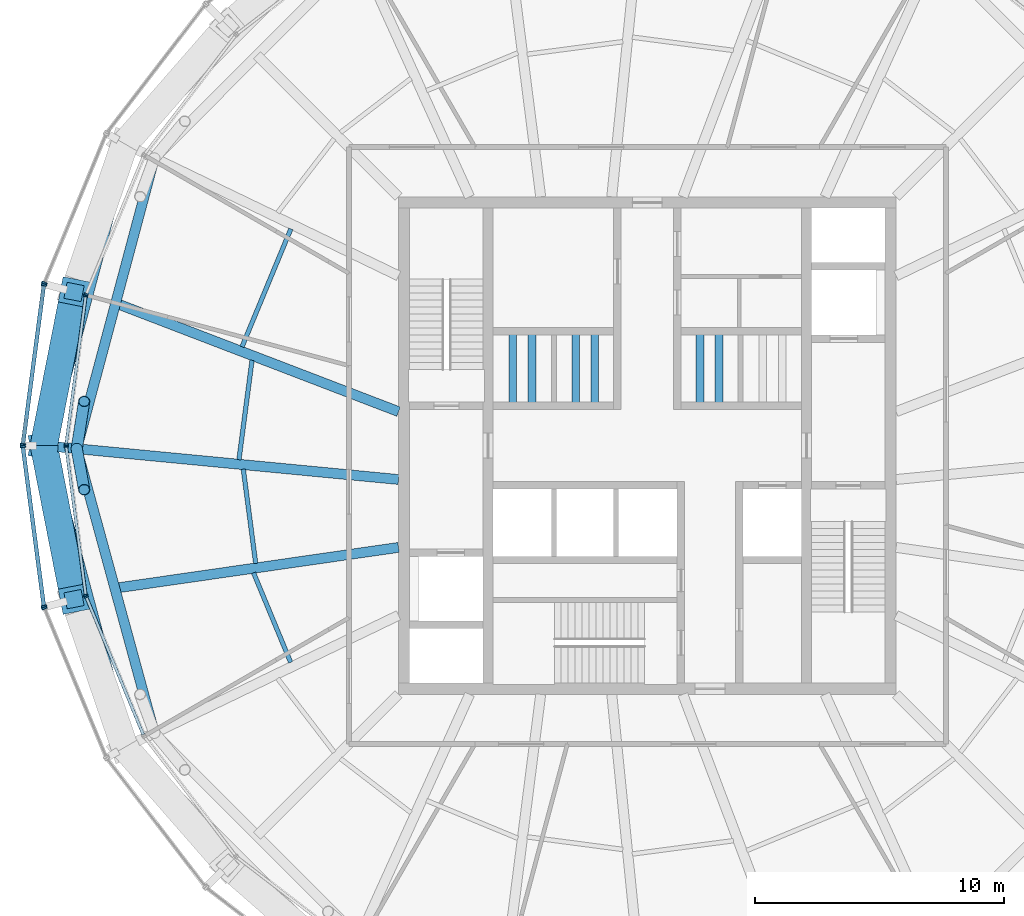
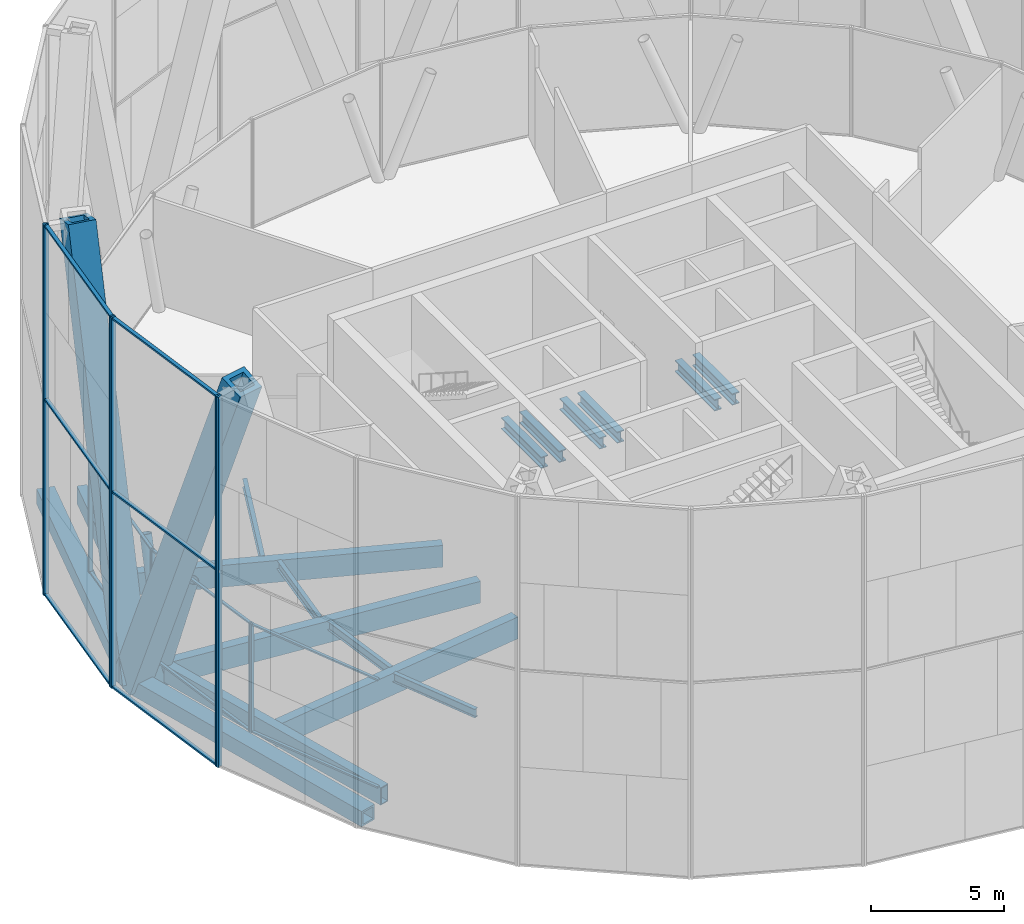
# One storey, part 3 of 15: 28 members, 17 beams, 8 elements without a shape of their own.
"""IFC4 building model written with IfcOpenShell, lengths in metres."""

from ifc_helpers import new_model, si_unit, direction, frame, origin, origin_2d, place, context, subcontext, project, spatial, rectangle, hollow_rectangle, hollow_circle, i_section, extrude, material, material_profile, profile_set, type_object, element, aggregate, save


model = new_model("IFC4")

# Units and contexts
model_context = context("Model", 3, precision=1e-05, world=origin(), true_north=direction((0.0, 1.0)))
body_context = subcontext(model_context, "Body", "Model", "MODEL_VIEW")
ifc_project = project(units=[si_unit("LENGTHUNIT", "METRE"), si_unit("AREAUNIT", "SQUARE_METRE"), si_unit("VOLUMEUNIT", "CUBIC_METRE"), si_unit("PLANEANGLEUNIT", "RADIAN"), si_unit("MASSUNIT", "GRAM", prefix="KILO")], contexts=[model_context])

# Site, building, storey
site_placement = place(None, origin())
site = spatial("IfcSite", under=ifc_project, at=site_placement, CompositionType="ELEMENT")
building_placement = place(site_placement, origin())
building = spatial("IfcBuilding", under=site, at=building_placement, Name="Golbaran Civic Tower", CompositionType="ELEMENT")
storey_placement = place(building_placement, frame((0.0, 0.0, 215.0)))
storey = spatial("IfcBuildingStorey", under=building, at=storey_placement, Name="L52", CompositionType="ELEMENT", Elevation=215.0)

# Members
ifc_material_1 = material(Name="Steel S355", Category="steel")
ifc_material_profile_1 = material_profile(ifc_material_1, hollow_circle(Radius=0.228515625, WallThickness=0.02001953125, at=origin_2d()), Name="CHS 457.0x20")
ifc_profile_set_1 = profile_set([ifc_material_profile_1], Name="Steel S355")
member_type_1 = type_object("IfcMemberType", Name="BELT TRUSS DIAGONAL CHS 457.0x20", PredefinedType="BRACE", material=ifc_profile_set_1)
member_1_placement = place(storey_placement, frame((-22.934814453125, -0.12646484375, -0.60009765625), z_axis=(0.056530761849, -0.312609094187, 0.948198200376), x_axis=(0.98403968952, 0.177949120395, 0.0)))
element("IfcMember", 1, at=member_1_placement, inside=storey, type_object=member_type_1, Name="Belt truss diagonal 180.00R L52", PredefinedType="BRACE", context=body_context, shape_type="SweptSolid", body=[
    extrude(hollow_circle(Radius=0.228515625, WallThickness=0.02001953125, at=origin_2d()), origin(), (0.0, 0.0, 1.0), 5.273193359375),
])
member_2_placement = place(storey_placement, frame((-22.934814453125, -0.12646484375, -0.60009765625), z_axis=(0.055639608411, 0.354890475268, 0.933250761875), x_axis=(-0.987932089453, 0.154887658092, 0.0)))
element("IfcMember", 2, at=member_2_placement, inside=storey, type_object=member_type_1, Name="Belt truss diagonal 180.00L L52", PredefinedType="BRACE", context=body_context, shape_type="SweptSolid", body=[
    extrude(hollow_circle(Radius=0.228515625, WallThickness=0.02001953125, at=origin_2d()), origin(), (0.0, 0.0, 1.0), 5.357666015625),
])
ifc_material_profile_2 = material_profile(ifc_material_1, hollow_rectangle(XDim=1.10009765625, YDim=1.10009765625, WallThickness=0.199951171875, at=origin_2d()), Name="BOX 1100x1100x200")
ifc_profile_set_2 = profile_set([ifc_material_profile_2], Name="Steel S355")
member_type_2 = type_object("IfcMemberType", Name="DIAGRID DIAGONAL BOX 1100x1100x200", PredefinedType="BRACE", material=ifc_profile_set_2)
for number, where, z_axis, x_axis, name in (
    (3, (-24.256103515625, 0.0, -0.7099609375), (0.066964133715, -0.340598547368, 0.937821109981), (0.981215652591, 0.192914082197, 0.0), "Diagonal D12-06R L52-L56"),
    (4, (-24.256103515625, 0.0, -0.7099609375), (0.066964133715, 0.340598547368, 0.937821109981), (-0.981215652591, 0.192914082197, 0.0), "Diagonal D12-06L L52-L56"),
):
    element("IfcMember", number, at=place(storey_placement, frame(where, z_axis=z_axis, x_axis=x_axis)), inside=storey, type_object=member_type_2, Name=name, PredefinedType="BRACE", context=body_context, shape_type="SweptSolid", body=[
        extrude(hollow_rectangle(XDim=1.10009765625, YDim=1.10009765625, WallThickness=0.199951171875, at=origin_2d()), origin(), (0.0, 0.0, 1.0), 18.127197265625),
    ])

# Beams
ifc_material_profile_3 = material_profile(ifc_material_1, hollow_rectangle(XDim=0.699951171875, YDim=0.699951171875, WallThickness=0.080078125, at=origin_2d()), Name="BOX 700x700x80")
ifc_profile_set_3 = profile_set([ifc_material_profile_3], Name="Steel S355")
beam_type_1 = type_object("IfcBeamType", Name="DIAGRID RING TIE BOX 700x700x80", PredefinedType="BEAM", material=ifc_profile_set_3)
for number, where, z_axis, x_axis, name in (
    (5, (-21.00634765625, 12.1279296875, -0.7099609375), (-0.258825502121, -0.965924096113, 0.0), (0.965924096113, -0.258825502121, 0.0), "Ring tie 150.00 L52"),
    (6, (-24.256103515625, 0.0, -0.7099609375), (0.258825502121, -0.965924096113, 0.0), (0.965924096113, 0.258825502121, 0.0), "Ring tie 180.00 L52"),
):
    element("IfcBeam", number, at=place(storey_placement, frame(where, z_axis=z_axis, x_axis=x_axis)), inside=storey, type_object=beam_type_1, Name=name, PredefinedType="BEAM", context=body_context, shape_type="SweptSolid", body=[
        extrude(hollow_rectangle(XDim=0.699951171875, YDim=0.699951171875, WallThickness=0.080078125, at=origin_2d()), origin(), (0.0, 0.0, 1.0), 12.5556640625),
    ])
ifc_material_profile_4 = material_profile(ifc_material_1, hollow_rectangle(XDim=0.39990234375, YDim=0.800048828125, WallThickness=0.0400390625, at=origin_2d()), Name="BOX 800x400x40")
ifc_profile_set_4 = profile_set([ifc_material_profile_4], Name="Steel S355")
beam_type_2 = type_object("IfcBeamType", Name="EDGE BEAM BOX 800x400x40", PredefinedType="BEAM", material=ifc_profile_set_4)
beam_1_placement = place(storey_placement, frame((-19.8603515625, 11.375732421875, -0.60009765625), z_axis=(-0.258227728075, -0.966084075251, 0.0), x_axis=(0.966084075251, -0.258227728075, 0.0)))
element("IfcBeam", 7, at=beam_1_placement, inside=storey, type_object=beam_type_2, Name="Edge beam 150.00 L52", PredefinedType="BEAM", context=body_context, shape_type="SweptSolid", body=[
    extrude(hollow_rectangle(XDim=0.39990234375, YDim=0.800048828125, WallThickness=0.0400390625, at=origin_2d()), origin(), (0.0, 0.0, 1.0), 11.7236328125),
])
beam_2_placement = place(storey_placement, frame((-22.884033203125, -0.31201171875, -0.60009765625), z_axis=(0.263544249905, -0.964647307746, 0.0), x_axis=(0.964647307746, 0.263544249905, 0.0)))
element("IfcBeam", 8, at=beam_2_placement, inside=storey, type_object=beam_type_2, Name="Edge beam 180.00 L52", PredefinedType="BEAM", context=body_context, shape_type="SweptSolid", body=[
    extrude(hollow_rectangle(XDim=0.39990234375, YDim=0.800048828125, WallThickness=0.0400390625, at=origin_2d()), origin(), (0.0, 0.0, 1.0), 11.469482421875),
])
ifc_material_profile_5 = material_profile(ifc_material_1, i_section(OverallWidth=0.179931640625, OverallDepth=0.39990234375, WebThickness=0.008544921875, FlangeThickness=0.013427734375, FilletRadius=0.02099609375, at=origin_2d()), Name="IPE 400")
ifc_profile_set_5 = profile_set([ifc_material_profile_5], Name="Steel S355")
beam_type_3 = type_object("IfcBeamType", Name="FLOOR INFILL BEAM IPE 400", PredefinedType="BEAM", material=ifc_profile_set_5)
beam_3_placement = place(storey_placement, frame((-14.32861328125, 8.70849609375, -0.39990234375), z_axis=(-0.382657320413, -0.923890348004, 0.0), x_axis=(0.923890348004, -0.382657320413, 0.0)))
element("IfcBeam", 9, at=beam_3_placement, inside=storey, type_object=beam_type_3, Name="Infill beam 157.50 L52", PredefinedType="BEAM", context=body_context, shape_type="SweptSolid", body=[
    extrude(i_section(OverallWidth=0.179931640625, OverallDepth=0.39990234375, WebThickness=0.008544921875, FlangeThickness=0.013427734375, FilletRadius=0.02099609375, at=origin_2d()), origin(), (0.0, 0.0, 1.0), 5.12841796875),
])
beam_4_placement = place(storey_placement, frame((-15.887939453125, 3.43017578125, -0.39990234375), z_axis=(-0.130534349596, -0.991443787401, 0.0), x_axis=(0.991443787401, -0.130534349596, 0.0)))
element("IfcBeam", 10, at=beam_4_placement, inside=storey, type_object=beam_type_3, Name="Infill beam 172.50 L52", PredefinedType="BEAM", context=body_context, shape_type="SweptSolid", body=[
    extrude(i_section(OverallWidth=0.179931640625, OverallDepth=0.39990234375, WebThickness=0.008544921875, FlangeThickness=0.013427734375, FilletRadius=0.02099609375, at=origin_2d()), origin(), (0.0, 0.0, 1.0), 4.0341796875),
])
beam_5_placement = place(storey_placement, frame((-16.239990234375, -0.947998046875, -0.39990234375), z_axis=(0.130548685387, -0.991441899833, 0.0), x_axis=(0.991441899833, 0.130548685387, 0.0)))
element("IfcBeam", 11, at=beam_5_placement, inside=storey, type_object=beam_type_3, Name="Infill beam 187.50 L52", PredefinedType="BEAM", context=body_context, shape_type="SweptSolid", body=[
    extrude(i_section(OverallWidth=0.179931640625, OverallDepth=0.39990234375, WebThickness=0.008544921875, FlangeThickness=0.013427734375, FilletRadius=0.02099609375, at=origin_2d()), origin(), (0.0, 0.0, 1.0), 3.822509765625),
])
beam_6_placement = place(storey_placement, frame((-15.826904296875, -5.11376953125, -0.39990234375), z_axis=(0.382656259044, -0.923890787601, 0.0), x_axis=(0.923890787601, 0.382656259044, 0.0)))
element("IfcBeam", 12, at=beam_6_placement, inside=storey, type_object=beam_type_3, Name="Infill beam 202.50 L52", PredefinedType="BEAM", context=body_context, shape_type="SweptSolid", body=[
    extrude(i_section(OverallWidth=0.179931640625, OverallDepth=0.39990234375, WebThickness=0.008544921875, FlangeThickness=0.013427734375, FilletRadius=0.02099609375, at=origin_2d()), origin(), (0.0, 0.0, 1.0), 3.89501953125),
])
ifc_material_profile_6 = material_profile(ifc_material_1, i_section(OverallWidth=0.305908203125, OverallDepth=0.52392578125, WebThickness=0.02099609375, FlangeThickness=0.0400390625, FilletRadius=0.027099609375, at=origin_2d()), Name="HEM 500")
ifc_profile_set_6 = profile_set([ifc_material_profile_6], Name="Steel S355")
beam_type_4 = type_object("IfcBeamType", Name="LIFT PIT BEAM HEM 500", PredefinedType="BEAM", material=ifc_profile_set_6)
for number, where, z_axis, x_axis, name in (
    (13, (-5.416748046875, 1.60009765625, 1.738037109375), (0.0, 1.0, 0.0), (-1.0, 0.0, 0.0), "Lift pit beam Z1T 1"),
    (14, (-4.63330078125, 1.60009765625, 1.738037109375), (0.0, 1.0, 0.0), (-1.0, 0.0, 0.0), "Lift pit beam Z1T 2"),
    (15, (-2.88330078125, 1.60009765625, 1.738037109375), (0.0, 1.0, 0.0), (-1.0, 0.0, 0.0), "Lift pit beam Z2T 1"),
    (16, (-2.11669921875, 1.60009765625, 1.738037109375), (0.0, 1.0, 0.0), (-1.0, 0.0, 0.0), "Lift pit beam Z2T 2"),
    (17, (2.11669921875, 1.60009765625, 1.738037109375), (0.0, 1.0, 0.0), (-1.0, 0.0, 0.0), "Lift pit beam Z3T 1"),
    (18, (2.88330078125, 1.60009765625, 1.738037109375), (0.0, 1.0, 0.0), (-1.0, 0.0, 0.0), "Lift pit beam Z3T 2"),
):
    element("IfcBeam", number, at=place(storey_placement, frame(where, z_axis=z_axis, x_axis=x_axis)), inside=storey, type_object=beam_type_4, Name=name, PredefinedType="BEAM", context=body_context, shape_type="SweptSolid", body=[
        extrude(i_section(OverallWidth=0.305908203125, OverallDepth=0.52392578125, WebThickness=0.02099609375, FlangeThickness=0.0400390625, FilletRadius=0.027099609375, at=origin_2d()), origin(), (0.0, 0.0, 1.0), 3.0),
    ])

# Curtain wall, member
ifc_material_2 = material(Name="Aluminium and glass", Category="aluminium")
curtain_wall_type_1 = type_object("IfcCurtainWallType", Name="OUTER SKIN TERRACOTTA SCREEN", PredefinedType="NOTDEFINED", material=ifc_material_2)
curtain_wall_1_placement = place(storey_placement, origin())
curtain_wall_1 = element("IfcCurtainWall", 19, at=curtain_wall_1_placement, inside=storey, type_object=curtain_wall_type_1, Name="Outer skin L52 facet 11 CW3", ObjectType="OUTER SKIN", PredefinedType="USERDEFINED")
ifc_material_3 = material(Name="Aluminium", Category="aluminium")
ifc_material_profile_7 = material_profile(ifc_material_3, rectangle(XDim=0.219970703125, YDim=0.080078125, at=origin_2d()), Name="OUTER SKIN TERRACOTTA SCREEN MULLION")
ifc_profile_set_7 = profile_set([ifc_material_profile_7], Name="Aluminium")
member_type_3 = type_object("IfcMemberType", Name="OUTER SKIN TERRACOTTA SCREEN MULLION", PredefinedType="MULLION", material=ifc_profile_set_7)
member_3_placement = place(storey_placement, frame((-24.235107421875, 6.534912109375, -0.7099609375), z_axis=(0.0, 0.0, 1.0), x_axis=(0.923879532485, -0.38268343243, 0.0)))
member_3 = element("IfcMember", 20, at=member_3_placement, type_object=member_type_3, Name="CW3 mullion 2", PredefinedType="MULLION", context=body_context, shape_type="SweptSolid", body=[
    extrude(rectangle(XDim=0.219970703125, YDim=0.080078125, at=origin_2d()), origin(), (0.0, 0.0, 1.0), 17.0),
])
aggregate(curtain_wall_1, [member_3])

# Curtain wall, members
curtain_wall_2_placement = place(storey_placement, origin())
curtain_wall_2 = element("IfcCurtainWall", 21, at=curtain_wall_2_placement, inside=storey, type_object=curtain_wall_type_1, Name="Outer skin L52 facet 12 CW3", ObjectType="OUTER SKIN", PredefinedType="USERDEFINED")
member_4_placement = place(storey_placement, frame((-24.255859375, 6.458251953125, -0.7099609375), z_axis=(0.0, 0.0, 1.0), x_axis=(0.991444861376, -0.130526192203, 0.0)))
member_4 = element("IfcMember", 22, at=member_4_placement, type_object=member_type_3, Name="CW3 mullion 1", PredefinedType="MULLION", context=body_context, shape_type="SweptSolid", body=[
    extrude(rectangle(XDim=0.219970703125, YDim=0.080078125, at=origin_2d()), origin(), (0.0, 0.0, 1.0), 17.0),
])
member_5_placement = place(storey_placement, frame((-25.100830078125, 0.03955078125, -0.7099609375), z_axis=(0.0, 0.0, 1.0), x_axis=(0.991444861376, -0.130526192203, 0.0)))
member_5 = element("IfcMember", 23, at=member_5_placement, type_object=member_type_3, Name="CW3 mullion 2", PredefinedType="MULLION", context=body_context, shape_type="SweptSolid", body=[
    extrude(rectangle(XDim=0.219970703125, YDim=0.080078125, at=origin_2d()), origin(), (0.0, 0.0, 1.0), 17.0),
])

curtain_wall_3_placement = place(storey_placement, origin())
curtain_wall_3 = element("IfcCurtainWall", 24, at=curtain_wall_3_placement, inside=storey, type_object=curtain_wall_type_1, Name="Outer skin L52 facet 13 CW3", ObjectType="OUTER SKIN", PredefinedType="USERDEFINED")
member_6_placement = place(storey_placement, frame((-25.100830078125, -0.03955078125, -0.7099609375), z_axis=(0.0, 0.0, 1.0), x_axis=(0.991444861376, 0.130526192203, 0.0)))
member_6 = element("IfcMember", 25, at=member_6_placement, type_object=member_type_3, Name="CW3 mullion 1", PredefinedType="MULLION", context=body_context, shape_type="SweptSolid", body=[
    extrude(rectangle(XDim=0.219970703125, YDim=0.080078125, at=origin_2d()), origin(), (0.0, 0.0, 1.0), 17.0),
])
member_7_placement = place(storey_placement, frame((-24.255859375, -6.458251953125, -0.7099609375), z_axis=(0.0, 0.0, 1.0), x_axis=(0.991444861376, 0.130526192203, 0.0)))
member_7 = element("IfcMember", 26, at=member_7_placement, type_object=member_type_3, Name="CW3 mullion 2", PredefinedType="MULLION", context=body_context, shape_type="SweptSolid", body=[
    extrude(rectangle(XDim=0.219970703125, YDim=0.080078125, at=origin_2d()), origin(), (0.0, 0.0, 1.0), 17.0),
])

# Curtain wall, member
curtain_wall_4_placement = place(storey_placement, origin())
curtain_wall_4 = element("IfcCurtainWall", 27, at=curtain_wall_4_placement, inside=storey, type_object=curtain_wall_type_1, Name="Outer skin L52 facet 14 CW3", ObjectType="OUTER SKIN", PredefinedType="USERDEFINED")
member_8_placement = place(storey_placement, frame((-24.235107421875, -6.534912109375, -0.7099609375), z_axis=(0.0, 0.0, 1.0), x_axis=(0.923879532485, 0.38268343243, 0.0)))
member_8 = element("IfcMember", 28, at=member_8_placement, type_object=member_type_3, Name="CW3 mullion 1", PredefinedType="MULLION", context=body_context, shape_type="SweptSolid", body=[
    extrude(rectangle(XDim=0.219970703125, YDim=0.080078125, at=origin_2d()), origin(), (0.0, 0.0, 1.0), 17.0),
])
aggregate(curtain_wall_4, [member_8])

# Member
ifc_material_profile_8 = material_profile(ifc_material_3, rectangle(XDim=0.159912109375, YDim=0.080078125, at=origin_2d()), Name="OUTER SKIN TERRACOTTA SCREEN TRANSOM")
ifc_profile_set_8 = profile_set([ifc_material_profile_8], Name="Aluminium")
member_type_4 = type_object("IfcMemberType", Name="OUTER SKIN TERRACOTTA SCREEN TRANSOM", PredefinedType="USERDEFINED", material=ifc_profile_set_8)
member_9_placement = place(storey_placement, frame((-24.260986328125, 6.418701171875, -0.669921875), z_axis=(-0.130507848345, -0.991447276218, 0.0), x_axis=(0.991447276218, -0.130507848345, 0.0)))
member_9 = element("IfcMember", 29, at=member_9_placement, type_object=member_type_4, Name="CW3 transom 1.1", ObjectType="TRANSOM", PredefinedType="USERDEFINED", context=body_context, shape_type="SweptSolid", body=[
    extrude(rectangle(XDim=0.159912109375, YDim=0.080078125, at=origin_2d()), origin(), (0.0, 0.0, 1.0), 6.39404296875),
])

member_10_placement = place(storey_placement, frame((-24.260986328125, 6.418701171875, 8.2900390625), z_axis=(-0.130507848345, -0.991447276218, 0.0), x_axis=(0.991447276218, -0.130507848345, 0.0)))
member_10 = element("IfcMember", 30, at=member_10_placement, type_object=member_type_4, Name="CW3 transom 1.2", ObjectType="TRANSOM", PredefinedType="USERDEFINED", context=body_context, shape_type="SweptSolid", body=[
    extrude(rectangle(XDim=0.159912109375, YDim=0.080078125, at=origin_2d()), origin(), (0.0, 0.0, 1.0), 6.39404296875),
])

member_11_placement = place(storey_placement, frame((-24.260986328125, 6.418701171875, 16.25), z_axis=(-0.130507848345, -0.991447276218, 0.0), x_axis=(0.991447276218, -0.130507848345, 0.0)))
member_11 = element("IfcMember", 31, at=member_11_placement, type_object=member_type_4, Name="CW3 transom 1.3", ObjectType="TRANSOM", PredefinedType="USERDEFINED", context=body_context, shape_type="SweptSolid", body=[
    extrude(rectangle(XDim=0.159912109375, YDim=0.080078125, at=origin_2d()), origin(), (0.0, 0.0, 1.0), 6.39404296875),
])

aggregate(curtain_wall_2, [member_4, member_5, member_9, member_10, member_11])

member_12_placement = place(storey_placement, frame((-25.095458984375, -0.079345703125, -0.669921875), z_axis=(0.130507848345, -0.991447276218, 0.0), x_axis=(0.991447276218, 0.130507848345, 0.0)))
member_12 = element("IfcMember", 32, at=member_12_placement, type_object=member_type_4, Name="CW3 transom 1.1", ObjectType="TRANSOM", PredefinedType="USERDEFINED", context=body_context, shape_type="SweptSolid", body=[
    extrude(rectangle(XDim=0.159912109375, YDim=0.080078125, at=origin_2d()), origin(), (0.0, 0.0, 1.0), 6.39404296875),
])

member_13_placement = place(storey_placement, frame((-25.095458984375, -0.079345703125, 8.2900390625), z_axis=(0.130507848345, -0.991447276218, 0.0), x_axis=(0.991447276218, 0.130507848345, 0.0)))
member_13 = element("IfcMember", 33, at=member_13_placement, type_object=member_type_4, Name="CW3 transom 1.2", ObjectType="TRANSOM", PredefinedType="USERDEFINED", context=body_context, shape_type="SweptSolid", body=[
    extrude(rectangle(XDim=0.159912109375, YDim=0.080078125, at=origin_2d()), origin(), (0.0, 0.0, 1.0), 6.39404296875),
])

member_14_placement = place(storey_placement, frame((-25.095458984375, -0.079345703125, 16.25), z_axis=(0.130507848345, -0.991447276218, 0.0), x_axis=(0.991447276218, 0.130507848345, 0.0)))
member_14 = element("IfcMember", 34, at=member_14_placement, type_object=member_type_4, Name="CW3 transom 1.3", ObjectType="TRANSOM", PredefinedType="USERDEFINED", context=body_context, shape_type="SweptSolid", body=[
    extrude(rectangle(XDim=0.159912109375, YDim=0.080078125, at=origin_2d()), origin(), (0.0, 0.0, 1.0), 6.39404296875),
])

aggregate(curtain_wall_3, [member_6, member_7, member_12, member_13, member_14])

# Curtain wall, member
curtain_wall_type_2 = type_object("IfcCurtainWallType", Name="PLANT FLOOR LOUVRE WALL", PredefinedType="NOTDEFINED", material=ifc_material_2)
curtain_wall_5_placement = place(storey_placement, origin())
curtain_wall_5 = element("IfcCurtainWall", 35, at=curtain_wall_5_placement, inside=storey, type_object=curtain_wall_type_2, Name="Inner skin L52 facet 11 CW6", ObjectType="PLANT LOUVRE WALL", PredefinedType="USERDEFINED")
ifc_material_profile_9 = material_profile(ifc_material_3, rectangle(XDim=0.159912109375, YDim=0.070068359375, at=origin_2d()), Name="PLANT FLOOR LOUVRE WALL MULLION")
ifc_profile_set_9 = profile_set([ifc_material_profile_9], Name="Aluminium")
member_type_5 = type_object("IfcMemberType", Name="PLANT FLOOR LOUVRE WALL MULLION", PredefinedType="MULLION", material=ifc_profile_set_9)
member_15_placement = place(storey_placement, frame((-22.555419921875, 6.07958984375, 0.0), z_axis=(0.0, 0.0, 1.0), x_axis=(0.923879532498, -0.382683432397, 0.0)))
member_15 = element("IfcMember", 36, at=member_15_placement, type_object=member_type_5, Name="CW6 mullion 2", PredefinedType="MULLION", context=body_context, shape_type="SweptSolid", body=[
    extrude(rectangle(XDim=0.159912109375, YDim=0.070068359375, at=origin_2d()), origin(), (0.0, 0.0, 1.0), 5.0),
])
aggregate(curtain_wall_5, [member_15])

# Curtain wall, members
curtain_wall_6_placement = place(storey_placement, origin())
curtain_wall_6 = element("IfcCurtainWall", 37, at=curtain_wall_6_placement, inside=storey, type_object=curtain_wall_type_2, Name="Inner skin L52 facet 12 CW6", ObjectType="PLANT LOUVRE WALL", PredefinedType="USERDEFINED")
member_16_placement = place(storey_placement, frame((-22.573486328125, 6.0126953125, 0.0), z_axis=(0.0, 0.0, 1.0), x_axis=(0.991444861369, -0.130526192255, 0.0)))
member_16 = element("IfcMember", 38, at=member_16_placement, type_object=member_type_5, Name="CW6 mullion 1", PredefinedType="MULLION", context=body_context, shape_type="SweptSolid", body=[
    extrude(rectangle(XDim=0.159912109375, YDim=0.070068359375, at=origin_2d()), origin(), (0.0, 0.0, 1.0), 5.0),
])
member_17_placement = place(storey_placement, frame((-23.3603515625, 0.03466796875, 0.0), z_axis=(0.0, 0.0, 1.0), x_axis=(0.991444861369, -0.130526192255, 0.0)))
member_17 = element("IfcMember", 39, at=member_17_placement, type_object=member_type_5, Name="CW6 mullion 2", PredefinedType="MULLION", context=body_context, shape_type="SweptSolid", body=[
    extrude(rectangle(XDim=0.159912109375, YDim=0.070068359375, at=origin_2d()), origin(), (0.0, 0.0, 1.0), 5.0),
])

curtain_wall_7_placement = place(storey_placement, origin())
curtain_wall_7 = element("IfcCurtainWall", 40, at=curtain_wall_7_placement, inside=storey, type_object=curtain_wall_type_2, Name="Inner skin L52 facet 13 CW6", ObjectType="PLANT LOUVRE WALL", PredefinedType="USERDEFINED")
member_18_placement = place(storey_placement, frame((-23.3603515625, -0.03466796875, 0.0), z_axis=(0.0, 0.0, 1.0), x_axis=(0.991444861369, 0.130526192255, 0.0)))
member_18 = element("IfcMember", 41, at=member_18_placement, type_object=member_type_5, Name="CW6 mullion 1", PredefinedType="MULLION", context=body_context, shape_type="SweptSolid", body=[
    extrude(rectangle(XDim=0.159912109375, YDim=0.070068359375, at=origin_2d()), origin(), (0.0, 0.0, 1.0), 5.0),
])
member_19_placement = place(storey_placement, frame((-22.573486328125, -6.0126953125, 0.0), z_axis=(0.0, 0.0, 1.0), x_axis=(0.991444861369, 0.130526192255, 0.0)))
member_19 = element("IfcMember", 42, at=member_19_placement, type_object=member_type_5, Name="CW6 mullion 2", PredefinedType="MULLION", context=body_context, shape_type="SweptSolid", body=[
    extrude(rectangle(XDim=0.159912109375, YDim=0.070068359375, at=origin_2d()), origin(), (0.0, 0.0, 1.0), 5.0),
])

# Curtain wall, member
curtain_wall_8_placement = place(storey_placement, origin())
curtain_wall_8 = element("IfcCurtainWall", 43, at=curtain_wall_8_placement, inside=storey, type_object=curtain_wall_type_2, Name="Inner skin L52 facet 14 CW6", ObjectType="PLANT LOUVRE WALL", PredefinedType="USERDEFINED")
member_20_placement = place(storey_placement, frame((-22.555419921875, -6.07958984375, 0.0), z_axis=(0.0, 0.0, 1.0), x_axis=(0.923879532498, 0.382683432397, 0.0)))
member_20 = element("IfcMember", 44, at=member_20_placement, type_object=member_type_5, Name="CW6 mullion 1", PredefinedType="MULLION", context=body_context, shape_type="SweptSolid", body=[
    extrude(rectangle(XDim=0.159912109375, YDim=0.070068359375, at=origin_2d()), origin(), (0.0, 0.0, 1.0), 5.0),
])

# Member
ifc_material_profile_10 = material_profile(ifc_material_3, rectangle(XDim=0.1201171875, YDim=0.070068359375, at=origin_2d()), Name="PLANT FLOOR LOUVRE WALL TRANSOM")
ifc_profile_set_10 = profile_set([ifc_material_profile_10], Name="Aluminium")
member_type_6 = type_object("IfcMemberType", Name="PLANT FLOOR LOUVRE WALL TRANSOM", PredefinedType="USERDEFINED", material=ifc_profile_set_10)
member_21_placement = place(storey_placement, frame((-22.577880859375, 5.97802734375, 0.034912109375), z_axis=(-0.130556241783, -0.991440904811, 0.0), x_axis=(0.991440904811, -0.130556241783, 0.0)))
member_21 = element("IfcMember", 45, at=member_21_placement, type_object=member_type_6, Name="CW6 transom 1.1", ObjectType="TRANSOM", PredefinedType="USERDEFINED", context=body_context, shape_type="SweptSolid", body=[
    extrude(rectangle(XDim=0.1201171875, YDim=0.070068359375, at=origin_2d()), origin(), (0.0, 0.0, 1.0), 5.959716796875),
])

member_22_placement = place(storey_placement, frame((-22.577880859375, 5.97802734375, 4.965087890625), z_axis=(-0.130556241783, -0.991440904811, 0.0), x_axis=(0.991440904811, -0.130556241783, 0.0)))
member_22 = element("IfcMember", 46, at=member_22_placement, type_object=member_type_6, Name="CW6 transom 1.2", ObjectType="TRANSOM", PredefinedType="USERDEFINED", context=body_context, shape_type="SweptSolid", body=[
    extrude(rectangle(XDim=0.1201171875, YDim=0.070068359375, at=origin_2d()), origin(), (0.0, 0.0, 1.0), 5.959716796875),
])

aggregate(curtain_wall_6, [member_16, member_17, member_21, member_22])

member_23_placement = place(storey_placement, frame((-23.35595703125, -0.0693359375, 0.034912109375), z_axis=(0.130556241783, -0.991440904811, 0.0), x_axis=(0.991440904811, 0.130556241783, 0.0)))
member_23 = element("IfcMember", 47, at=member_23_placement, type_object=member_type_6, Name="CW6 transom 1.1", ObjectType="TRANSOM", PredefinedType="USERDEFINED", context=body_context, shape_type="SweptSolid", body=[
    extrude(rectangle(XDim=0.1201171875, YDim=0.070068359375, at=origin_2d()), origin(), (0.0, 0.0, 1.0), 5.959716796875),
])

member_24_placement = place(storey_placement, frame((-23.35595703125, -0.0693359375, 4.965087890625), z_axis=(0.130556241783, -0.991440904811, 0.0), x_axis=(0.991440904811, 0.130556241783, 0.0)))
member_24 = element("IfcMember", 48, at=member_24_placement, type_object=member_type_6, Name="CW6 transom 1.2", ObjectType="TRANSOM", PredefinedType="USERDEFINED", context=body_context, shape_type="SweptSolid", body=[
    extrude(rectangle(XDim=0.1201171875, YDim=0.070068359375, at=origin_2d()), origin(), (0.0, 0.0, 1.0), 5.959716796875),
])

aggregate(curtain_wall_7, [member_18, member_19, member_23, member_24])

member_25_placement = place(storey_placement, frame((-22.5419921875, -6.112060546875, 0.034912109375), z_axis=(0.382671394504, -0.923884518665, 0.0), x_axis=(0.923884518665, 0.382671394504, 0.0)))
member_25 = element("IfcMember", 49, at=member_25_placement, type_object=member_type_6, Name="CW6 transom 1.1", ObjectType="TRANSOM", PredefinedType="USERDEFINED", context=body_context, shape_type="SweptSolid", body=[
    extrude(rectangle(XDim=0.1201171875, YDim=0.070068359375, at=origin_2d()), origin(), (0.0, 0.0, 1.0), 5.95947265625),
])

member_26_placement = place(storey_placement, frame((-22.5419921875, -6.112060546875, 4.965087890625), z_axis=(0.382671394504, -0.923884518665, 0.0), x_axis=(0.923884518665, 0.382671394504, 0.0)))
member_26 = element("IfcMember", 50, at=member_26_placement, type_object=member_type_6, Name="CW6 transom 1.2", ObjectType="TRANSOM", PredefinedType="USERDEFINED", context=body_context, shape_type="SweptSolid", body=[
    extrude(rectangle(XDim=0.1201171875, YDim=0.070068359375, at=origin_2d()), origin(), (0.0, 0.0, 1.0), 5.95947265625),
])

aggregate(curtain_wall_8, [member_20, member_25, member_26])

# Beams
ifc_material_profile_11 = material_profile(ifc_material_1, hollow_rectangle(XDim=0.39990234375, YDim=1.0, WallThickness=0.0400390625, at=origin_2d()), Name="BOX 1000x400x40")
ifc_profile_set_11 = profile_set([ifc_material_profile_11], Name="Steel S355")
beam_type_5 = type_object("IfcBeamType", Name="RADIAL FLOOR BEAM BOX 1000x400x40", PredefinedType="BEAM", material=ifc_profile_set_11)
beam_7_placement = place(storey_placement, frame((-10.0, -1.3642578125, -0.7099609375), z_axis=(-0.995452429313, 0.095259965226, 0.0), x_axis=(-0.095259965226, -0.995452429313, 0.0)))
element("IfcBeam", 51, at=beam_7_placement, inside=storey, type_object=beam_type_5, Name="Radial beam 180.00 L52", PredefinedType="BEAM", context=body_context, shape_type="SweptSolid", body=[
    extrude(hollow_rectangle(XDim=0.39990234375, YDim=1.0, WallThickness=0.0400390625, at=origin_2d()), origin(), (0.0, 0.0, 1.0), 13.747314453125),
])
ifc_material_profile_12 = material_profile(ifc_material_1, hollow_rectangle(XDim=0.39990234375, YDim=1.0, WallThickness=0.0400390625, at=origin_2d()), Name="BOX 1000x400x40")
ifc_profile_set_12 = profile_set([ifc_material_profile_12], Name="Steel S355")
beam_type_6 = type_object("IfcBeamType", Name="SECONDARY FLOOR BEAM BOX 1000x400x40", PredefinedType="BEAM", material=ifc_profile_set_12)
beam_8_placement = place(storey_placement, frame((-10.0, 1.3642578125, -0.7099609375), z_axis=(-0.933658875223, 0.358163516731, 0.0), x_axis=(-0.358163516731, -0.933658875223, 0.0)))
element("IfcBeam", 52, at=beam_8_placement, inside=storey, type_object=beam_type_6, Name="Secondary beam 165.00 L52", PredefinedType="BEAM", context=body_context, shape_type="SweptSolid", body=[
    extrude(hollow_rectangle(XDim=0.39990234375, YDim=1.0, WallThickness=0.0400390625, at=origin_2d()), origin(), (0.0, 0.0, 1.0), 12.17822265625),
])
beam_9_placement = place(storey_placement, frame((-10.0, -4.0927734375, -0.7099609375), z_axis=(-0.989789071374, -0.14253979861, 0.0), x_axis=(0.14253979861, -0.989789071374, 0.0)))
element("IfcBeam", 53, at=beam_9_placement, inside=storey, type_object=beam_type_6, Name="Secondary beam 195.00 L52", PredefinedType="BEAM", context=body_context, shape_type="SweptSolid", body=[
    extrude(hollow_rectangle(XDim=0.39990234375, YDim=1.0, WallThickness=0.0400390625, at=origin_2d()), origin(), (0.0, 0.0, 1.0), 11.520263671875),
])

save(model, "model.ifc")
